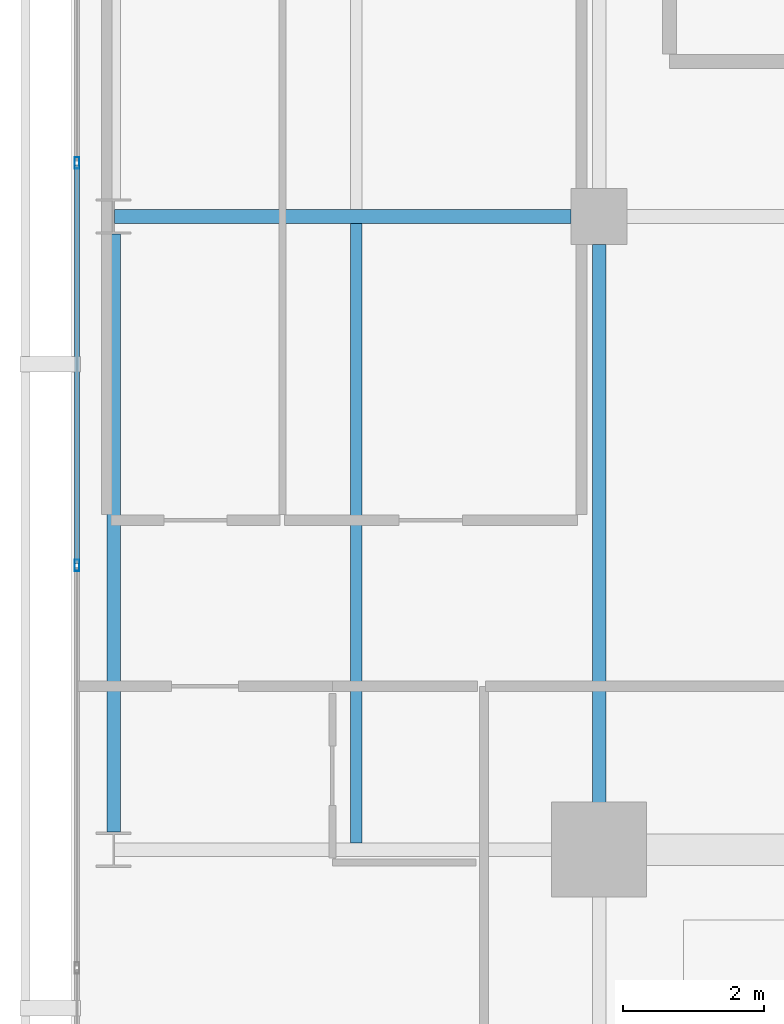
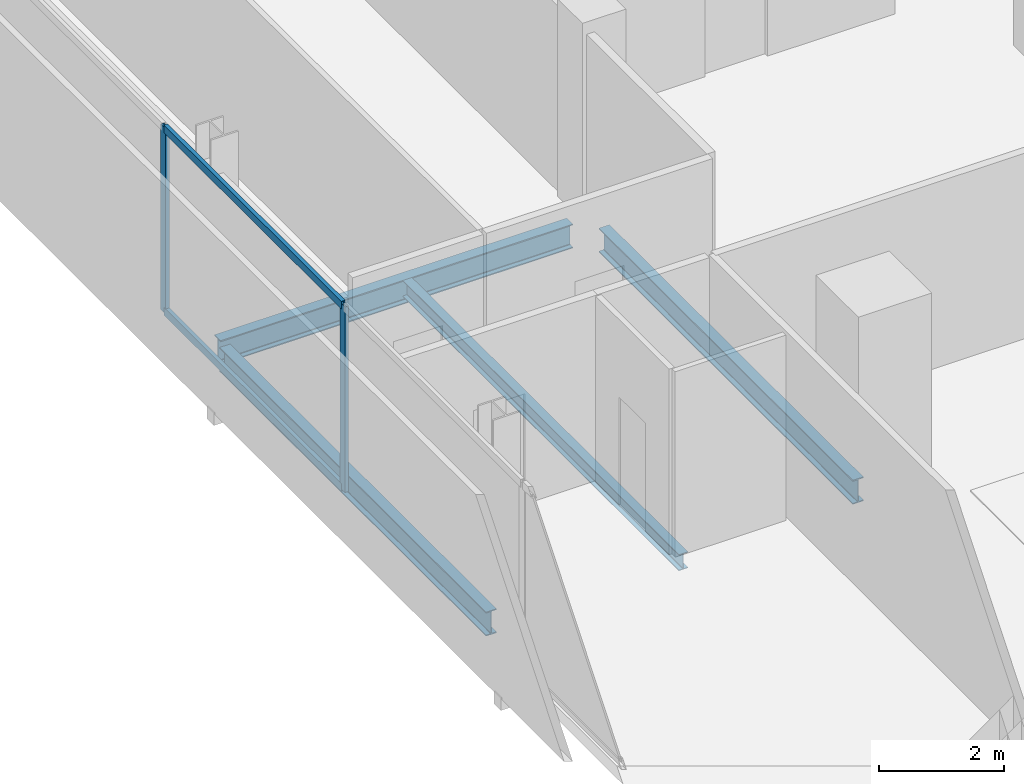
# One storey, part 7 of 23: 4 beams, 4 members, 1 element without a shape of its own.
"""IFC4 building model written with IfcOpenShell, lengths in metres."""

import ifcopenshell
import ifcopenshell.guid

model = None  # the IFC model being written
_history = None  # IfcOwnerHistory: only IFC2X3 demands one
_inside = {}  # id of a spatial element -> (the spatial element, [elements in it])
_under = {}  # id of a project, library or spatial element -> (it, [spatial elements below it])
_declared = {}  # id of a project -> (the project, [libraries it declares])
_typed = {}  # id of a type object -> (the type object, [elements of that type])
_made_of = {}  # id of a material, layer set ... -> (it, [elements and type objects made of it])


def new_model(schema):
    """Start an empty IFC model of exactly this schema.

    Asked for "IFC4X3", IfcOpenShell would pick the latest addendum, in which some entities
    have other attributes; the version numbers below select the first issue.
    IFC2X3 requires an IfcOwnerHistory on every rooted entity: one is made here for all.
    """
    global model, _history
    if schema == "IFC4X3":
        model = ifcopenshell.file(schema_version=(4, 3, 0, 0))
    else:
        model = ifcopenshell.file(schema=schema)
    _inside.clear()
    _under.clear()
    _declared.clear()
    _typed.clear()
    _made_of.clear()
    _history = None
    if model.schema == "IFC2X3":
        org = make("IfcOrganization", Name="unknown")
        user = make(
            "IfcPersonAndOrganization",
            ThePerson=make("IfcPerson", FamilyName="unknown"),
            TheOrganization=org,
        )
        app = make(
            "IfcApplication",
            ApplicationDeveloper=org,
            Version="unknown",
            ApplicationFullName="unknown",
            ApplicationIdentifier="unknown",
        )
        _history = make(
            "IfcOwnerHistory",
            OwningUser=user,
            OwningApplication=app,
            ChangeAction="ADDED",
            CreationDate=0,
        )
    return model


def make(cls, **values):
    """One entity of the class cls with the attributes given. An attribute that is None is left unset."""
    return model.create_entity(
        cls, **{name: value for name, value in values.items() if value is not None}
    )


def rooted(cls, **values):
    """An entity with a GlobalId (a new one), such as an element, a storey or a relation."""
    return make(cls, GlobalId=ifcopenshell.guid.new(), OwnerHistory=_history, **values)


def si_unit(unit_type, name, prefix=None):
    """IfcSIUnit, for example si_unit("LENGTHUNIT", "METRE", prefix="MILLI")."""
    return make("IfcSIUnit", UnitType=unit_type, Prefix=prefix, Name=name)


def assignment(units):
    """IfcUnitAssignment: the units of a project."""
    return None if units is None else make("IfcUnitAssignment", Units=units)


def point(xyz):
    """IfcCartesianPoint."""
    return None if xyz is None else make("IfcCartesianPoint", Coordinates=xyz)


def direction(xyz):
    """IfcDirection."""
    return None if xyz is None else make("IfcDirection", DirectionRatios=xyz)


def frame(location, z_axis=None, x_axis=None):
    """IfcAxis2Placement3D, a coordinate frame: its origin and axes. An axis left out is left unset."""
    return make(
        "IfcAxis2Placement3D",
        Location=point(location),
        Axis=direction(z_axis),
        RefDirection=direction(x_axis),
    )


def frame_2d(location, x_axis=None):
    """IfcAxis2Placement2D, a coordinate frame in the plane: its origin and x axis."""
    return make(
        "IfcAxis2Placement2D", Location=point(location), RefDirection=direction(x_axis)
    )


def origin():
    """The frame at (0, 0, 0) with its axes left unset."""
    return frame((0.0, 0.0, 0.0))


def origin_2d():
    """The frame at (0, 0) in the plane with its x axis left unset."""
    return frame_2d((0.0, 0.0))


def place(relative_to, where):
    """IfcLocalPlacement: puts the frame where relative to a parent placement (None: the world)."""
    return make(
        "IfcLocalPlacement", PlacementRelTo=relative_to, RelativePlacement=where
    )


def context(
    kind, dimensions, precision=None, world=None, true_north=None, identifier=None
):
    """IfcGeometricRepresentationContext, for example the 3D "Model" context."""
    return make(
        "IfcGeometricRepresentationContext",
        ContextIdentifier=identifier,
        ContextType=kind,
        CoordinateSpaceDimension=dimensions,
        Precision=precision,
        WorldCoordinateSystem=world,
        TrueNorth=true_north,
    )


def subcontext(parent, identifier, kind, view, scale=None):
    """IfcGeometricRepresentationSubContext, for example "Body" below "Model"."""
    return make(
        "IfcGeometricRepresentationSubContext",
        ContextIdentifier=identifier,
        ContextType=kind,
        ParentContext=parent,
        TargetScale=scale,
        TargetView=view,
    )


def project(units=None, contexts=None):
    """IfcProject with its units and contexts."""
    return rooted(
        "IfcProject",
        Name="project",
        RepresentationContexts=contexts,
        UnitsInContext=assignment(units),
    )


def spatial(cls, under=None, at=None, **own):
    """A site, building, storey or space (cls), placed at a placement, below another one or the project."""
    s = rooted(cls, ObjectPlacement=at, **own)
    if under is not None:
        _under.setdefault(under.id(), (under, []))[1].append(s)
    return s


def profile(cls, at=None, kind="AREA", **sizes):
    """A parametric profile (cls). Its sizes go by their IFC names, for example OverallWidth=200.0."""
    return make(cls, ProfileType=kind, Position=at, **sizes)


def hollow_rectangle(**sizes):
    """IfcRectangleHollowProfileDef."""
    return profile("IfcRectangleHollowProfileDef", **sizes)


def i_section(**sizes):
    """IfcIShapeProfileDef."""
    return profile("IfcIShapeProfileDef", **sizes)


def extrude(swept, where, along, depth):
    """IfcExtrudedAreaSolid: the profile swept, set in the frame where, extruded along a direction by depth."""
    return make(
        "IfcExtrudedAreaSolid",
        SweptArea=swept,
        Position=where,
        ExtrudedDirection=direction(along),
        Depth=depth,
    )


def shape(context_of_items, identifier, shape_type, items):
    """IfcShapeRepresentation: the items that make up one representation, for example the "Body"."""
    return make(
        "IfcShapeRepresentation",
        ContextOfItems=context_of_items,
        RepresentationIdentifier=identifier,
        RepresentationType=shape_type,
        Items=items,
    )


def material(Name=None, Category=None):
    """IfcMaterial."""
    return make("IfcMaterial", Name=Name, Category=Category)


def layer(
    of_material, thickness, ventilated=None, Name=None, Category=None, Priority=None
):
    """IfcMaterialLayer: one layer of a wall or slab, of a material (None: an air gap)."""
    return make(
        "IfcMaterialLayer",
        Material=of_material,
        LayerThickness=thickness,
        IsVentilated=ventilated,
        Name=Name,
        Category=Category,
        Priority=Priority,
    )


def layer_set(layers, Name=None):
    """IfcMaterialLayerSet."""
    return make("IfcMaterialLayerSet", MaterialLayers=layers, LayerSetName=Name)


def material_profile(
    of_material, cross_section, Name=None, Category=None, Priority=None
):
    """IfcMaterialProfile: a cross section and its material."""
    return make(
        "IfcMaterialProfile",
        Name=Name,
        Material=of_material,
        Profile=cross_section,
        Priority=Priority,
        Category=Category,
    )


def profile_set(profiles, Name=None, composite=None):
    """IfcMaterialProfileSet."""
    return make(
        "IfcMaterialProfileSet",
        Name=Name,
        MaterialProfiles=profiles,
        CompositeProfile=composite,
    )


def made_of(thing, what):
    """Note that an element or type object is made of a material, layer set ...; save() writes the relation."""
    if what is not None:
        _made_of.setdefault(what.id(), (what, []))[1].append(thing)
    return thing


def type_object(cls, material=None, **own):
    """A type object (cls), such as IfcWallType, which elements share."""
    return made_of(rooted(cls, **own), material)


def element(
    cls,
    number,
    at=None,
    inside=None,
    cuts=None,
    type_object=None,
    material=None,
    context=None,
    identifier="Body",
    shape_type=None,
    held_by="IfcProductDefinitionShape",
    body=None,
    shapes=None,
    **own,
):
    """One element of the class cls, such as IfcWall. Its Tag is "e" and its number.

    at: its placement. inside: the storey or other place that contains it. cuts: it is an
    opening in that element (IfcRelVoidsElement). A single representation is given by context,
    identifier, shape_type and body (its items); several are given by shapes. held_by: the class
    of the entity that holds the representations. save() writes the other relations.
    """
    e = rooted(cls, Tag="e%d" % number, ObjectPlacement=at, **own)
    if body is not None:
        shapes = [shape(context, identifier, shape_type, body)]
    if shapes is not None:
        e.Representation = make(held_by, Representations=shapes)
    if inside is not None:
        _inside.setdefault(inside.id(), (inside, []))[1].append(e)
    if cuts is not None:
        rooted(
            "IfcRelVoidsElement", RelatingBuildingElement=cuts, RelatedOpeningElement=e
        )
    if type_object is not None:
        _typed.setdefault(type_object.id(), (type_object, []))[1].append(e)
    return made_of(e, material)


def aggregate(whole, parts):
    """IfcRelAggregates: a whole, such as a stair, and the parts it consists of."""
    return rooted("IfcRelAggregates", RelatingObject=whole, RelatedObjects=parts)


def save(model, path):
    """Write the relations noted so far, then the file.

    IfcRelAggregates (storeys below a building ...), IfcRelContainedInSpatialStructure (elements
    in a storey), IfcRelDefinesByType, IfcRelAssociatesMaterial and IfcRelDeclares: one each for
    every whole, place, type object, material and project.
    """
    for whole, parts in _under.values():
        aggregate(whole, parts)
    for where, things in _inside.values():
        rooted(
            "IfcRelContainedInSpatialStructure",
            RelatedElements=things,
            RelatingStructure=where,
        )
    for kind, things in _typed.values():
        rooted("IfcRelDefinesByType", RelatedObjects=things, RelatingType=kind)
    for what, things in _made_of.values():
        rooted("IfcRelAssociatesMaterial", RelatedObjects=things, RelatingMaterial=what)
    for by, libraries in _declared.values():
        rooted("IfcRelDeclares", RelatingContext=by, RelatedDefinitions=libraries)
    model.write(path)


model = new_model("IFC4")

# Units and contexts
model_context = context("Model", 3, precision=1e-05, world=origin(), true_north=direction((0.0, 1.0)))
body_context = subcontext(model_context, "Body", "Model", "MODEL_VIEW")
ifc_project = project(units=[si_unit("LENGTHUNIT", "METRE"), si_unit("AREAUNIT", "SQUARE_METRE"), si_unit("VOLUMEUNIT", "CUBIC_METRE"), si_unit("PLANEANGLEUNIT", "RADIAN"), si_unit("MASSUNIT", "GRAM", prefix="KILO")], contexts=[model_context])

# Site, building, storey
site_placement = place(None, origin())
site = spatial("IfcSite", under=ifc_project, at=site_placement, CompositionType="ELEMENT")
building_placement = place(site_placement, origin())
building = spatial("IfcBuilding", under=site, at=building_placement, Name="Maruvema Waterfront Hotel and Observation Tower", CompositionType="ELEMENT")
storey_placement = place(building_placement, frame((0.0, 0.0, 337.39990234375)))
storey = spatial("IfcBuildingStorey", under=building, at=storey_placement, Name="L83", CompositionType="ELEMENT", Elevation=337.39990234375)

# Curtain wall, members
ifc_material_1 = material(Name="Anodised bronze aluminium and solar-control low-E IGU", Category="aluminium")
ifc_layer = layer(ifc_material_1, 0.159912109375, Name="Zone 4 Sky Residence Inner Curtain Wall System CW-05")
ifc_layer_set = layer_set([ifc_layer], Name="Anodised bronze aluminium and solar-control low-E IGU")
curtain_wall_type = type_object("IfcCurtainWallType", Name="Zone 4 Sky Residence Inner Curtain Wall System CW-05", PredefinedType="USERDEFINED", material=ifc_layer_set)
curtain_wall_placement = place(storey_placement, origin())
curtain_wall = element("IfcCurtainWall", 1, at=curtain_wall_placement, inside=storey, type_object=curtain_wall_type, Name="L83 Curtain Wall CW-L83-W", ObjectType="UNITISED CURTAIN WALL", PredefinedType="USERDEFINED")
ifc_material_2 = material(Name="Anodised architectural bronze aluminium", Category="aluminium")
ifc_material_profile_1 = material_profile(ifc_material_2, hollow_rectangle(XDim=0.070068359375, YDim=0.14990234375, WallThickness=0.00390625, at=origin_2d()), Name="ALU-T70x150")
ifc_profile_set_1 = profile_set([ifc_material_profile_1], Name="Anodised architectural bronze aluminium")
member_type_1 = type_object("IfcMemberType", Name="Curtain Wall Horizontal Transom ALU-T70x150", PredefinedType="USERDEFINED", material=ifc_profile_set_1)
member_1_placement = place(storey_placement, frame((17.780029296875, 36.72998046875, 0.030029296875), z_axis=(0.0, -1.0, 0.0), x_axis=(1.0, 0.0, 0.0)))
member_1 = element("IfcMember", 2, at=member_1_placement, type_object=member_type_1, Name="CW-05 transom 3.1", ObjectType="TRANSOM", PredefinedType="USERDEFINED", context=body_context, shape_type="SweptSolid", body=[
    extrude(hollow_rectangle(XDim=0.070068359375, YDim=0.14990234375, WallThickness=0.00390625, at=origin_2d()), origin(), (0.0, 0.0, 1.0), 5.659912109375),
])
member_2_placement = place(storey_placement, frame((17.780029296875, 36.72998046875, 3.580078125), z_axis=(0.0, -1.0, 0.0), x_axis=(1.0, 0.0, 0.0)))
member_2 = element("IfcMember", 3, at=member_2_placement, type_object=member_type_1, Name="CW-05 transom 3.2", ObjectType="TRANSOM", PredefinedType="USERDEFINED", context=body_context, shape_type="SweptSolid", body=[
    extrude(hollow_rectangle(XDim=0.070068359375, YDim=0.14990234375, WallThickness=0.00390625, at=origin_2d()), origin(), (0.0, 0.0, 1.0), 5.659912109375),
])
ifc_material_3 = material(Name="Anodised architectural bronze aluminium", Category="aluminium")
ifc_material_profile_2 = material_profile(ifc_material_3, hollow_rectangle(XDim=0.06494140625, YDim=0.1650390625, WallThickness=0.00390625, at=origin_2d()), Name="ALU-M65x165")
ifc_profile_set_2 = profile_set([ifc_material_profile_2], Name="Anodised architectural bronze aluminium")
member_type_2 = type_object("IfcMemberType", Name="Curtain Wall Primary Mullion ALU-M65x165", PredefinedType="MULLION", material=ifc_profile_set_2)
member_3_placement = place(storey_placement, frame((17.780029296875, 36.760009765625, 0.0), z_axis=(0.0, 0.0, 1.0), x_axis=(1.0, 0.0, 0.0)))
member_3 = element("IfcMember", 4, at=member_3_placement, type_object=member_type_2, Name="CW-05 mullion 3", PredefinedType="MULLION", context=body_context, shape_type="SweptSolid", body=[
    extrude(hollow_rectangle(XDim=0.06494140625, YDim=0.1650390625, WallThickness=0.00390625, at=origin_2d()), origin(), (0.0, 0.0, 1.0), 3.610107421875),
])
member_4_placement = place(storey_placement, frame((17.780029296875, 31.0400390625, 0.0), z_axis=(0.0, 0.0, 1.0), x_axis=(1.0, 0.0, 0.0)))
member_4 = element("IfcMember", 5, at=member_4_placement, type_object=member_type_2, Name="CW-05 mullion 4", PredefinedType="MULLION", context=body_context, shape_type="SweptSolid", body=[
    extrude(hollow_rectangle(XDim=0.06494140625, YDim=0.1650390625, WallThickness=0.00390625, at=origin_2d()), origin(), (0.0, 0.0, 1.0), 3.610107421875),
])
aggregate(curtain_wall, [member_3, member_4, member_1, member_2])

# Beams
ifc_material_4 = material(Name="Steel ASTM A572 Grade 50", Category="steel")
ifc_material_profile_3 = material_profile(ifc_material_4, i_section(OverallWidth=0.194091796875, OverallDepth=0.468994140625, WebThickness=0.0126953125, FlangeThickness=0.0205078125, FilletRadius=0.014892578125, at=origin_2d()), Name="W460x106.0")
ifc_profile_set_3 = profile_set([ifc_material_profile_3], Name="Steel ASTM A572 Grade 50")
beam_type_1 = type_object("IfcBeamType", Name="Primary Floor Girder W460x106.0", PredefinedType="BEAM", material=ifc_profile_set_3)
beam_1_placement = place(storey_placement, frame((18.31103515625, 36.0, -0.474365234375), z_axis=(1.0, 0.0, 0.0), x_axis=(0.0, 1.0, 0.0)))
element("IfcBeam", 6, at=beam_1_placement, inside=storey, type_object=beam_type_1, Name="L83 Floor Girder EW-10", PredefinedType="BEAM", context=body_context, shape_type="SweptSolid", body=[
    extrude(i_section(OverallWidth=0.194091796875, OverallDepth=0.468994140625, WebThickness=0.0126953125, FlangeThickness=0.0205078125, FilletRadius=0.014892578125, at=origin_2d()), origin(), (0.0, 0.0, 1.0), 6.489013671875),
])
beam_2_placement = place(storey_placement, frame((18.300048828125, 27.25, -0.474365234375), z_axis=(0.0, 1.0, 0.0), x_axis=(-1.0, 0.0, 0.0)))
element("IfcBeam", 7, at=beam_2_placement, inside=storey, type_object=beam_type_1, Name="L83 Floor Girder NS-01", PredefinedType="BEAM", context=body_context, shape_type="SweptSolid", body=[
    extrude(i_section(OverallWidth=0.194091796875, OverallDepth=0.468994140625, WebThickness=0.0126953125, FlangeThickness=0.0205078125, FilletRadius=0.014892578125, at=origin_2d()), origin(), (0.0, 0.0, 1.0), 8.5),
])
beam_3_placement = place(storey_placement, frame((25.199951171875, 27.5, -0.474365234375), z_axis=(0.0, 1.0, 0.0), x_axis=(-1.0, 0.0, 0.0)))
element("IfcBeam", 8, at=beam_3_placement, inside=storey, type_object=beam_type_1, Name="L83 Floor Girder NS-05", PredefinedType="BEAM", context=body_context, shape_type="SweptSolid", body=[
    extrude(i_section(OverallWidth=0.194091796875, OverallDepth=0.468994140625, WebThickness=0.0126953125, FlangeThickness=0.0205078125, FilletRadius=0.014892578125, at=origin_2d()), origin(), (0.0, 0.0, 1.0), 8.10009765625),
])
ifc_material_5 = material(Name="Steel ASTM A572 Grade 50", Category="steel")
ifc_material_profile_4 = material_profile(ifc_material_5, i_section(OverallWidth=0.1669921875, OverallDepth=0.31689453125, WebThickness=0.007568359375, FlangeThickness=0.01318359375, FilletRadius=0.012939453125, at=origin_2d()), Name="W310x52.0")
ifc_profile_set_4 = profile_set([ifc_material_profile_4], Name="Steel ASTM A572 Grade 50")
beam_type_2 = type_object("IfcBeamType", Name="Secondary Floor Joist W310x52.0", PredefinedType="JOIST", material=ifc_profile_set_4)
beam_4_placement = place(storey_placement, frame((21.75, 27.096923828125, -0.3984375), z_axis=(0.0, 1.0, 0.0), x_axis=(-1.0, 0.0, 0.0)))
element("IfcBeam", 9, at=beam_4_placement, inside=storey, type_object=beam_type_2, Name="L83 Secondary Floor Joist JS-01", PredefinedType="JOIST", context=body_context, shape_type="SweptSolid", body=[
    extrude(i_section(OverallWidth=0.1669921875, OverallDepth=0.31689453125, WebThickness=0.007568359375, FlangeThickness=0.01318359375, FilletRadius=0.012939453125, at=origin_2d()), origin(), (0.0, 0.0, 1.0), 8.80615234375),
])

save(model, "model.ifc")
